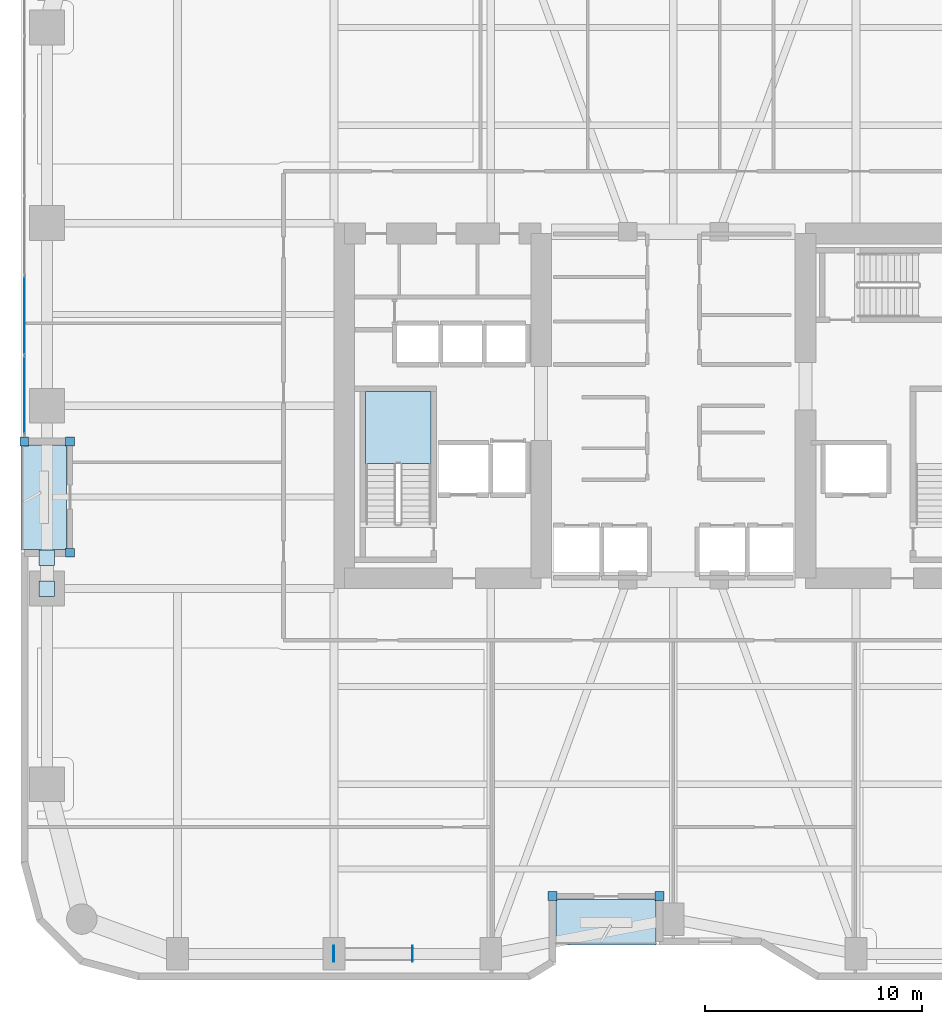
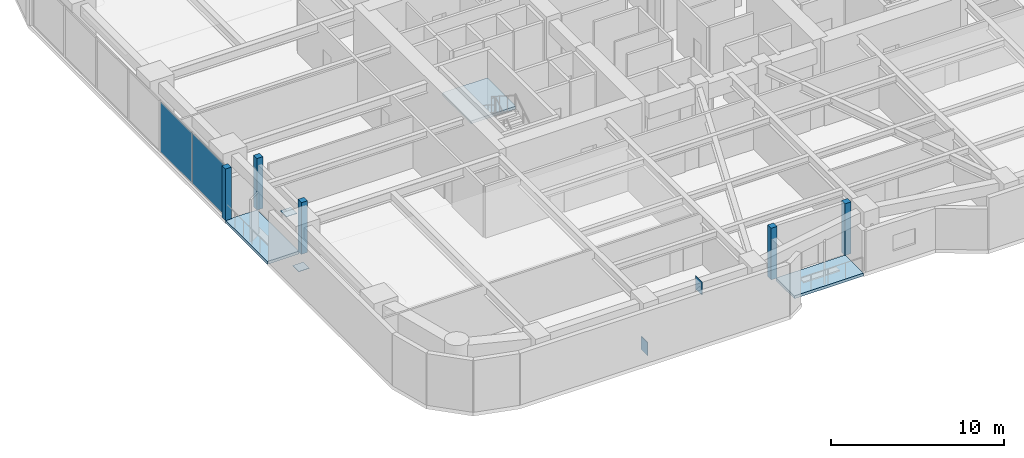
# One storey, part 19 of 28: 11 plates, 3 slabs, 2 elements without a shape of their own.
"""IFC4 building model written with IfcOpenShell, lengths in metres."""

from ifc_helpers import new_model, si_unit, direction, frame, origin, origin_2d, place, context, subcontext, project, spatial, polyline, rectangle, outline, extrude, material, layer, layer_set, type_object, element, aggregate, save


model = new_model("IFC4")

# Units and contexts
model_context = context("Model", 3, precision=1e-05, world=origin(), true_north=direction((0.0, 1.0)))
body_context = subcontext(model_context, "Body", "Model", "MODEL_VIEW")
ifc_project = project(units=[si_unit("LENGTHUNIT", "METRE"), si_unit("AREAUNIT", "SQUARE_METRE"), si_unit("VOLUMEUNIT", "CUBIC_METRE"), si_unit("PLANEANGLEUNIT", "RADIAN"), si_unit("MASSUNIT", "GRAM", prefix="KILO")], contexts=[model_context])

# Site, building, storey
site_placement = place(None, origin())
site = spatial("IfcSite", under=ifc_project, at=site_placement, CompositionType="ELEMENT")
building_placement = place(site_placement, origin())
building = spatial("IfcBuilding", under=site, at=building_placement, Name="Kiyonajd Concourse Tower", CompositionType="ELEMENT")
storey_placement = place(building_placement, frame((0.0, 0.0, 33.300048828125)))
storey = spatial("IfcBuildingStorey", under=building, at=storey_placement, Name="L09", CompositionType="ELEMENT", Elevation=33.300048828125)

# Plates
ifc_material_1 = material(Name="Steel ASTM A572 Grade 50", Category="steel")
ifc_layer_1 = layer(ifc_material_1, 0.028076171875)
ifc_layer_set_1 = layer_set([ifc_layer_1], Name="Steel ASTM A572 Grade 50")
plate_type_1 = type_object("IfcPlateType", Name="PL-CAP-450", PredefinedType="USERDEFINED", material=ifc_layer_set_1)
for number, where, z_axis, x_axis, name in (
    (1, (32.3916015625, 10.800048828125, -0.173583984375), (0.0, 0.0, 1.0), (-1.0, 0.0, 0.0), "L09 Hollow Brace End Cap Plate PBS"),
    (2, (36.008544921875, 10.800048828125, 2.830322265625), (0.0, 0.0, 1.0), (1.0, 0.0, 0.0), "L09 Hollow Brace Top Cap Plate PBS"),
):
    element("IfcPlate", number, at=place(storey_placement, frame(where, z_axis=z_axis, x_axis=x_axis)), inside=storey, type_object=plate_type_1, Name=name, ObjectType="CAP PLATE", PredefinedType="USERDEFINED", context=body_context, shape_type="SweptSolid", body=[
        extrude(rectangle(XDim=0.035888671875, YDim=0.72998046875, at=origin_2d()), origin(), (0.0, 0.0, 1.0), 0.93310546875),
    ])
for number, where, z_axis, x_axis, name in (
    (3, (19.199951171875, 27.59521484375, 0.27587890625), (0.0, 0.0, 1.0), (1.0, 0.0, 0.0), "L09 Hollow Brace End Cap Plate PBW"),
    (4, (19.199951171875, 29.004638671875, 3.2861328125), (0.0, 0.0, 1.0), (1.0, 0.0, 0.0), "L09 Hollow Brace Top Cap Plate PBW"),
):
    element("IfcPlate", number, at=place(storey_placement, frame(where, z_axis=z_axis, x_axis=x_axis)), inside=storey, type_object=plate_type_1, Name=name, ObjectType="CAP PLATE", PredefinedType="USERDEFINED", context=body_context, shape_type="SweptSolid", body=[
        extrude(rectangle(XDim=0.7099609375, YDim=0.7099609375, at=origin_2d()), origin(), (0.0, 0.0, 1.0), 0.028076171875),
    ])

# Curtain wall, plates
ifc_material_2 = material(Name="Thermally Broken Anodised Aluminium", Category="aluminium")
ifc_layer_2 = layer(ifc_material_2, 0.179931640625)
ifc_layer_set_2 = layer_set([ifc_layer_2], Name="Thermally Broken Anodised Aluminium")
curtain_wall_type = type_object("IfcCurtainWallType", Name="CW-SYS-02", PredefinedType="NOTDEFINED", material=ifc_layer_set_2)
curtain_wall_placement = place(storey_placement, origin())
curtain_wall = element("IfcCurtainWall", 5, at=curtain_wall_placement, inside=storey, type_object=curtain_wall_type, Name="L09 Unitised Curtain Wall CW2", PredefinedType="NOTDEFINED")
ifc_material_3 = material(Name="Double Low-E Insulated Glass", Category="glass")
ifc_layer_3 = layer(ifc_material_3, 0.028076171875)
ifc_layer_set_3 = layer_set([ifc_layer_3], Name="Double Low-E Insulated Glass")
plate_type_2 = type_object("IfcPlateType", Name="PL-CW-VIS28", PredefinedType="CURTAIN_PANEL", material=ifc_layer_set_3)
plate_1_placement = place(storey_placement, frame((18.159912109375, 36.5029296875, 0.06494140625), z_axis=(0.0, 0.0, 1.0), x_axis=(0.0, 1.0, 0.0)))
plate_1 = element("IfcPlate", 6, at=plate_1_placement, type_object=plate_type_2, Name="CW2 panel 1.1", PredefinedType="CURTAIN_PANEL", context=body_context, shape_type="SweptSolid", body=[
    extrude(rectangle(XDim=3.57568359375, YDim=0.028076171875, at=origin_2d()), origin(), (0.0, 0.0, 1.0), 3.510009765625),
])
plate_2_placement = place(storey_placement, frame((18.159912109375, 40.15966796875, 0.06494140625), z_axis=(0.0, 0.0, 1.0), x_axis=(0.0, 1.0, 0.0)))
plate_2 = element("IfcPlate", 7, at=plate_2_placement, type_object=plate_type_2, Name="CW2 panel 2.1", PredefinedType="CURTAIN_PANEL", context=body_context, shape_type="SweptSolid", body=[
    extrude(rectangle(XDim=3.608154296875, YDim=0.028076171875, at=origin_2d()), origin(), (0.0, 0.0, 1.0), 3.510009765625),
])
aggregate(curtain_wall, [plate_1, plate_2])

# Plates
ifc_layer_4 = layer(ifc_material_2, 0.39990234375)
ifc_layer_set_4 = layer_set([ifc_layer_4], Name="Thermally Broken Anodised Aluminium")
plate_type_3 = type_object("IfcPlateType", Name="PL-JMB-400", PredefinedType="USERDEFINED", material=ifc_layer_set_4)
for number, where, z_axis, x_axis, name in (
    (8, (20.260009765625, 29.239990234375, 0.0), (0.0, 0.0, 1.0), (1.0, 0.0, 0.0), "L09 Facade Jamb Closure Plate 01"),
    (9, (20.260009765625, 34.360107421875, 0.0), (0.0, 0.0, 1.0), (1.0, 0.0, 0.0), "L09 Facade Jamb Closure Plate 02"),
    (10, (18.159912109375, 34.360107421875, 0.0), (0.0, 0.0, 1.0), (1.0, 0.0, 0.0), "L09 Facade Jamb Closure Plate 03"),
    (11, (47.360107421875, 13.4599609375, 0.0), (0.0, 0.0, 1.0), (1.0, 0.0, 0.0), "L09 Facade Jamb Closure Plate 13"),
    (12, (42.43994140625, 13.4599609375, 0.0), (0.0, 0.0, 1.0), (1.0, 0.0, 0.0), "L09 Facade Jamb Closure Plate 14"),
):
    element("IfcPlate", number, at=place(storey_placement, frame(where, z_axis=z_axis, x_axis=x_axis)), inside=storey, type_object=plate_type_3, Name=name, ObjectType="JAMB PLATE", PredefinedType="USERDEFINED", context=body_context, shape_type="SweptSolid", body=[
        extrude(rectangle(XDim=0.39990234375, YDim=0.39990234375, at=origin_2d()), origin(), (0.0, 0.0, 1.0), 3.639892578125),
    ])

# Stair, slab
ifc_material_4 = material(Name="Concrete C40/50", Category="concrete")
stair_type = type_object("IfcStairType", Name="ST-DLG-22R", PredefinedType="HALF_TURN_STAIR", material=ifc_material_4)
stair_placement = place(storey_placement, origin())
stair = element("IfcStair", 13, at=stair_placement, inside=storey, type_object=stair_type, Name="L09 Protected Exit Stair ST1", PredefinedType="HALF_TURN_STAIR")
ifc_layer_5 = layer(ifc_material_4, 0.199951171875)
ifc_layer_set_5 = layer_set([ifc_layer_5], Name="Concrete C40/50")
slab_type_1 = type_object("IfcSlabType", Name="SL-LND-200", PredefinedType="LANDING", material=ifc_layer_set_5)
slab_1_placement = place(storey_placement, frame((0.0, 0.0, 1.75)))
slab_1 = element("IfcSlab", 14, at=slab_1_placement, type_object=slab_type_1, Name="ST1 landing 1", PredefinedType="LANDING", context=body_context, shape_type="SweptSolid", body=[
    extrude(outline(polyline([(36.85009765625, 33.35009765625), (36.85009765625, 36.64990234375), (33.85009765625, 36.64990234375), (33.85009765625, 33.35009765625), (36.85009765625, 33.35009765625)])), origin(), (0.0, 0.0, 1.0), 0.199951171875),
])
aggregate(stair, [slab_1])

# Slabs
ifc_material_5 = material(Name="Precast concrete C50/60", Category="concrete")
ifc_layer_6 = layer(ifc_material_5, 0.199951171875)
ifc_layer_set_6 = layer_set([ifc_layer_6], Name="Precast concrete C50/60")
slab_type_2 = type_object("IfcSlabType", Name="SL-LOG-200", PredefinedType="FLOOR", material=ifc_layer_set_6)
slab_2_placement = place(storey_placement, frame((0.0, 0.0, -0.199951171875)))
element("IfcSlab", 15, at=slab_2_placement, inside=storey, type_object=slab_type_2, Name="L09 Recessed Engawa Loggia Terrace Slab LOG-S", PredefinedType="FLOOR", context=body_context, shape_type="SweptSolid", body=[
    extrude(outline(polyline([(42.60009765625, 11.199951171875), (47.199951171875, 11.199951171875), (47.199951171875, 13.300048828125), (42.60009765625, 13.300048828125), (42.60009765625, 11.199951171875)])), origin(), (0.0, 0.0, 1.0), 0.199951171875),
])
slab_3_placement = place(storey_placement, frame((0.0, 0.0, -0.199951171875)))
element("IfcSlab", 16, at=slab_3_placement, inside=storey, type_object=slab_type_2, Name="L09 Recessed Engawa Loggia Terrace Slab LOG-W", PredefinedType="FLOOR", context=body_context, shape_type="SweptSolid", body=[
    extrude(outline(polyline([(18.0, 29.39990234375), (20.10009765625, 29.39990234375), (20.10009765625, 34.199951171875), (18.0, 34.199951171875), (18.0, 29.39990234375)])), origin(), (0.0, 0.0, 1.0), 0.199951171875),
])

save(model, "model.ifc")
